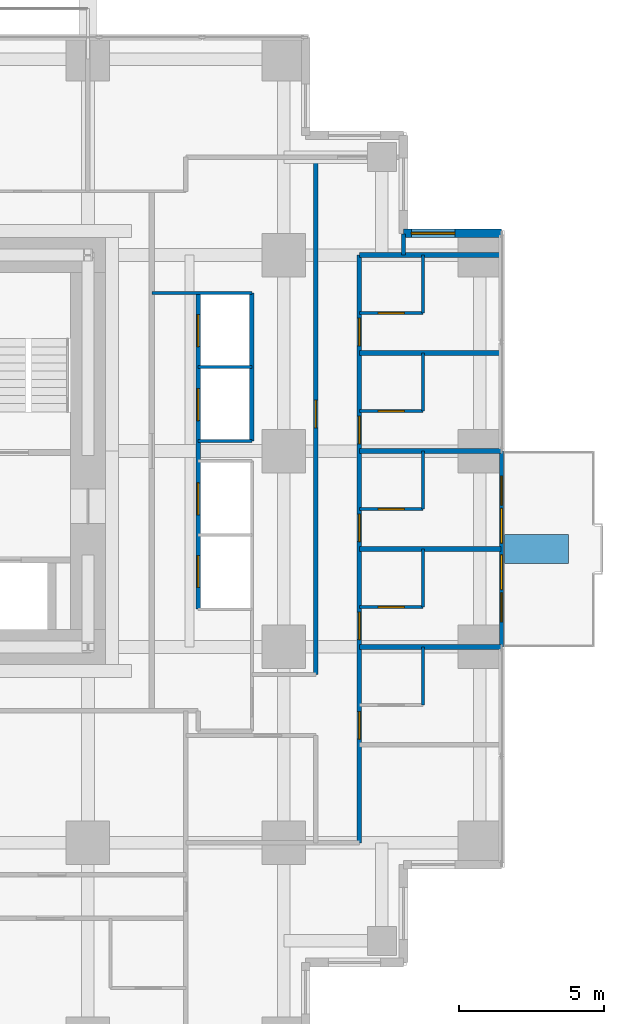
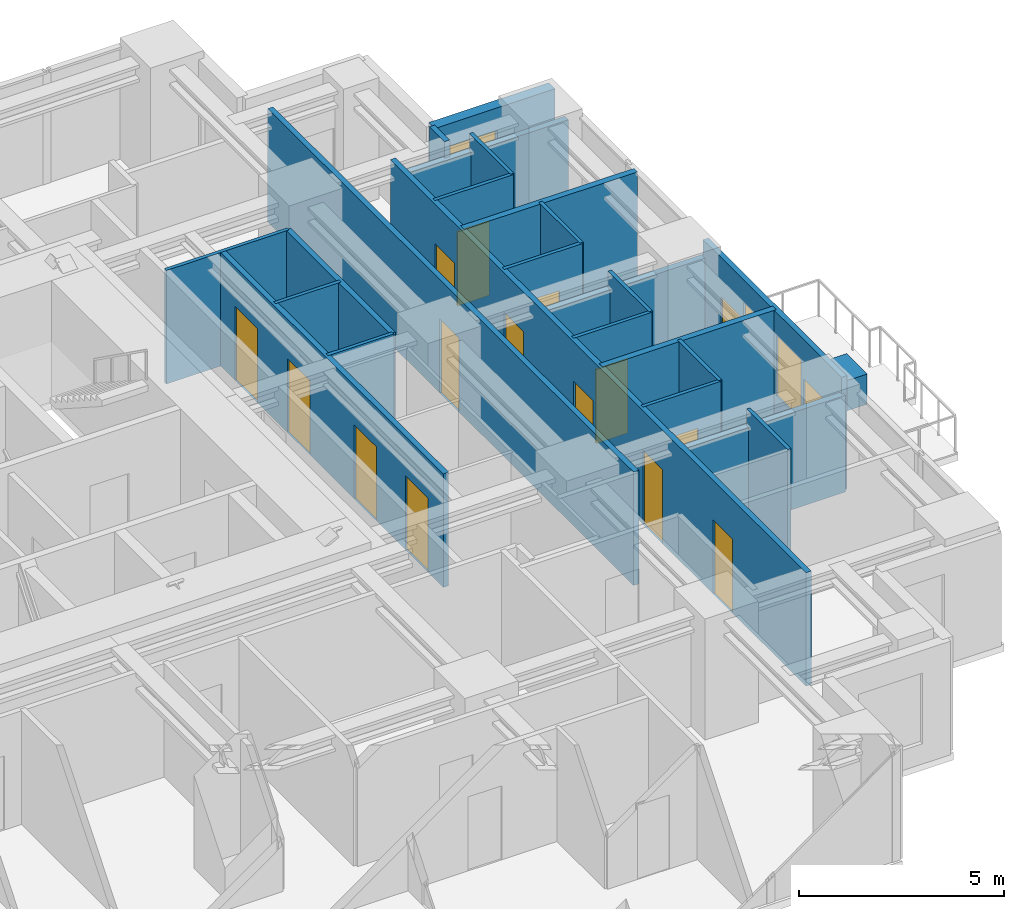
# One storey, part 10 of 13: 25 walls, 16 doors, 3 windows, 19 openings.
"""IFC4 building model written with IfcOpenShell, lengths in metres."""

import ifcopenshell
import ifcopenshell.guid

model = None  # the IFC model being written
_history = None  # IfcOwnerHistory: only IFC2X3 demands one
_inside = {}  # id of a spatial element -> (the spatial element, [elements in it])
_under = {}  # id of a project, library or spatial element -> (it, [spatial elements below it])
_declared = {}  # id of a project -> (the project, [libraries it declares])
_typed = {}  # id of a type object -> (the type object, [elements of that type])
_made_of = {}  # id of a material, layer set ... -> (it, [elements and type objects made of it])


def new_model(schema):
    """Start an empty IFC model of exactly this schema.

    Asked for "IFC4X3", IfcOpenShell would pick the latest addendum, in which some entities
    have other attributes; the version numbers below select the first issue.
    IFC2X3 requires an IfcOwnerHistory on every rooted entity: one is made here for all.
    """
    global model, _history
    if schema == "IFC4X3":
        model = ifcopenshell.file(schema_version=(4, 3, 0, 0))
    else:
        model = ifcopenshell.file(schema=schema)
    _inside.clear()
    _under.clear()
    _declared.clear()
    _typed.clear()
    _made_of.clear()
    _history = None
    if model.schema == "IFC2X3":
        org = make("IfcOrganization", Name="unknown")
        user = make(
            "IfcPersonAndOrganization",
            ThePerson=make("IfcPerson", FamilyName="unknown"),
            TheOrganization=org,
        )
        app = make(
            "IfcApplication",
            ApplicationDeveloper=org,
            Version="unknown",
            ApplicationFullName="unknown",
            ApplicationIdentifier="unknown",
        )
        _history = make(
            "IfcOwnerHistory",
            OwningUser=user,
            OwningApplication=app,
            ChangeAction="ADDED",
            CreationDate=0,
        )
    return model


def make(cls, **values):
    """One entity of the class cls with the attributes given. An attribute that is None is left unset."""
    return model.create_entity(
        cls, **{name: value for name, value in values.items() if value is not None}
    )


def rooted(cls, **values):
    """An entity with a GlobalId (a new one), such as an element, a storey or a relation."""
    return make(cls, GlobalId=ifcopenshell.guid.new(), OwnerHistory=_history, **values)


def si_unit(unit_type, name, prefix=None):
    """IfcSIUnit, for example si_unit("LENGTHUNIT", "METRE", prefix="MILLI")."""
    return make("IfcSIUnit", UnitType=unit_type, Prefix=prefix, Name=name)


def assignment(units):
    """IfcUnitAssignment: the units of a project."""
    return None if units is None else make("IfcUnitAssignment", Units=units)


def point(xyz):
    """IfcCartesianPoint."""
    return None if xyz is None else make("IfcCartesianPoint", Coordinates=xyz)


def direction(xyz):
    """IfcDirection."""
    return None if xyz is None else make("IfcDirection", DirectionRatios=xyz)


def frame(location, z_axis=None, x_axis=None):
    """IfcAxis2Placement3D, a coordinate frame: its origin and axes. An axis left out is left unset."""
    return make(
        "IfcAxis2Placement3D",
        Location=point(location),
        Axis=direction(z_axis),
        RefDirection=direction(x_axis),
    )


def frame_2d(location, x_axis=None):
    """IfcAxis2Placement2D, a coordinate frame in the plane: its origin and x axis."""
    return make(
        "IfcAxis2Placement2D", Location=point(location), RefDirection=direction(x_axis)
    )


def origin():
    """The frame at (0, 0, 0) with its axes left unset."""
    return frame((0.0, 0.0, 0.0))


def place(relative_to, where):
    """IfcLocalPlacement: puts the frame where relative to a parent placement (None: the world)."""
    return make(
        "IfcLocalPlacement", PlacementRelTo=relative_to, RelativePlacement=where
    )


def context(
    kind, dimensions, precision=None, world=None, true_north=None, identifier=None
):
    """IfcGeometricRepresentationContext, for example the 3D "Model" context."""
    return make(
        "IfcGeometricRepresentationContext",
        ContextIdentifier=identifier,
        ContextType=kind,
        CoordinateSpaceDimension=dimensions,
        Precision=precision,
        WorldCoordinateSystem=world,
        TrueNorth=true_north,
    )


def subcontext(parent, identifier, kind, view, scale=None):
    """IfcGeometricRepresentationSubContext, for example "Body" below "Model"."""
    return make(
        "IfcGeometricRepresentationSubContext",
        ContextIdentifier=identifier,
        ContextType=kind,
        ParentContext=parent,
        TargetScale=scale,
        TargetView=view,
    )


def project(units=None, contexts=None):
    """IfcProject with its units and contexts."""
    return rooted(
        "IfcProject",
        Name="project",
        RepresentationContexts=contexts,
        UnitsInContext=assignment(units),
    )


def spatial(cls, under=None, at=None, **own):
    """A site, building, storey or space (cls), placed at a placement, below another one or the project."""
    s = rooted(cls, ObjectPlacement=at, **own)
    if under is not None:
        _under.setdefault(under.id(), (under, []))[1].append(s)
    return s


def profile(cls, at=None, kind="AREA", **sizes):
    """A parametric profile (cls). Its sizes go by their IFC names, for example OverallWidth=200.0."""
    return make(cls, ProfileType=kind, Position=at, **sizes)


def rectangle(**sizes):
    """IfcRectangleProfileDef."""
    return profile("IfcRectangleProfileDef", **sizes)


def extrude(swept, where, along, depth):
    """IfcExtrudedAreaSolid: the profile swept, set in the frame where, extruded along a direction by depth."""
    return make(
        "IfcExtrudedAreaSolid",
        SweptArea=swept,
        Position=where,
        ExtrudedDirection=direction(along),
        Depth=depth,
    )


def shape(context_of_items, identifier, shape_type, items):
    """IfcShapeRepresentation: the items that make up one representation, for example the "Body"."""
    return make(
        "IfcShapeRepresentation",
        ContextOfItems=context_of_items,
        RepresentationIdentifier=identifier,
        RepresentationType=shape_type,
        Items=items,
    )


def material(Name=None, Category=None):
    """IfcMaterial."""
    return make("IfcMaterial", Name=Name, Category=Category)


def layer(
    of_material, thickness, ventilated=None, Name=None, Category=None, Priority=None
):
    """IfcMaterialLayer: one layer of a wall or slab, of a material (None: an air gap)."""
    return make(
        "IfcMaterialLayer",
        Material=of_material,
        LayerThickness=thickness,
        IsVentilated=ventilated,
        Name=Name,
        Category=Category,
        Priority=Priority,
    )


def layer_set(layers, Name=None):
    """IfcMaterialLayerSet."""
    return make("IfcMaterialLayerSet", MaterialLayers=layers, LayerSetName=Name)


def made_of(thing, what):
    """Note that an element or type object is made of a material, layer set ...; save() writes the relation."""
    if what is not None:
        _made_of.setdefault(what.id(), (what, []))[1].append(thing)
    return thing


def type_object(cls, material=None, **own):
    """A type object (cls), such as IfcWallType, which elements share."""
    return made_of(rooted(cls, **own), material)


def element(
    cls,
    number,
    at=None,
    inside=None,
    cuts=None,
    type_object=None,
    material=None,
    context=None,
    identifier="Body",
    shape_type=None,
    held_by="IfcProductDefinitionShape",
    body=None,
    shapes=None,
    **own,
):
    """One element of the class cls, such as IfcWall. Its Tag is "e" and its number.

    at: its placement. inside: the storey or other place that contains it. cuts: it is an
    opening in that element (IfcRelVoidsElement). A single representation is given by context,
    identifier, shape_type and body (its items); several are given by shapes. held_by: the class
    of the entity that holds the representations. save() writes the other relations.
    """
    e = rooted(cls, Tag="e%d" % number, ObjectPlacement=at, **own)
    if body is not None:
        shapes = [shape(context, identifier, shape_type, body)]
    if shapes is not None:
        e.Representation = make(held_by, Representations=shapes)
    if inside is not None:
        _inside.setdefault(inside.id(), (inside, []))[1].append(e)
    if cuts is not None:
        rooted(
            "IfcRelVoidsElement", RelatingBuildingElement=cuts, RelatedOpeningElement=e
        )
    if type_object is not None:
        _typed.setdefault(type_object.id(), (type_object, []))[1].append(e)
    return made_of(e, material)


def fill(opening, filler):
    """IfcRelFillsElement: the door or window that sits in an opening."""
    return rooted(
        "IfcRelFillsElement",
        RelatingOpeningElement=opening,
        RelatedBuildingElement=filler,
    )


def aggregate(whole, parts):
    """IfcRelAggregates: a whole, such as a stair, and the parts it consists of."""
    return rooted("IfcRelAggregates", RelatingObject=whole, RelatedObjects=parts)


def save(model, path):
    """Write the relations noted so far, then the file.

    IfcRelAggregates (storeys below a building ...), IfcRelContainedInSpatialStructure (elements
    in a storey), IfcRelDefinesByType, IfcRelAssociatesMaterial and IfcRelDeclares: one each for
    every whole, place, type object, material and project.
    """
    for whole, parts in _under.values():
        aggregate(whole, parts)
    for where, things in _inside.values():
        rooted(
            "IfcRelContainedInSpatialStructure",
            RelatedElements=things,
            RelatingStructure=where,
        )
    for kind, things in _typed.values():
        rooted("IfcRelDefinesByType", RelatedObjects=things, RelatingType=kind)
    for what, things in _made_of.values():
        rooted("IfcRelAssociatesMaterial", RelatedObjects=things, RelatingMaterial=what)
    for by, libraries in _declared.values():
        rooted("IfcRelDeclares", RelatingContext=by, RelatedDefinitions=libraries)
    model.write(path)


model = new_model("IFC4")

# Units and contexts
model_context = context("Model", 3, precision=1e-05, world=origin(), true_north=direction((0.0, 1.0)))
body_context = subcontext(model_context, "Body", "Model", "MODEL_VIEW")
ifc_project = project(units=[si_unit("LENGTHUNIT", "METRE"), si_unit("AREAUNIT", "SQUARE_METRE"), si_unit("VOLUMEUNIT", "CUBIC_METRE"), si_unit("PLANEANGLEUNIT", "RADIAN"), si_unit("MASSUNIT", "GRAM", prefix="KILO")], contexts=[model_context])

# Site, building, storey
site_placement = place(None, origin())
site = spatial("IfcSite", under=ifc_project, at=site_placement, CompositionType="ELEMENT")
building_placement = place(site_placement, origin())
building = spatial("IfcBuilding", under=site, at=building_placement, Name="Nyansa Garden Tower", CompositionType="ELEMENT")
storey_placement = place(building_placement, frame((0.0, 0.0, 130.5)))
storey = spatial("IfcBuildingStorey", under=building, at=storey_placement, Name="L35", CompositionType="ELEMENT", Elevation=130.5)

# Walls
ifc_material_1 = material(Name="Dense blockwork, plastered both sides, 55 dB", Category="masonry")
ifc_layer_1 = layer(ifc_material_1, 0.175048828125)
ifc_layer_set_1 = layer_set([ifc_layer_1], Name="Acoustic party wall PW175")
wall_type_1 = type_object("IfcWallType", Name="Acoustic party wall PW175", PredefinedType="PARTITIONING", material=ifc_layer_set_1)
wall_1_placement = place(storey_placement, frame((36.35009765625, 13.5, 0.0), z_axis=(0.0, 0.0, 1.0), x_axis=(1.0, 0.0, 0.0)))
element("IfcWall", 1, at=wall_1_placement, inside=storey, type_object=wall_type_1, Name="Party wall", PredefinedType="PARTITIONING", context=body_context, shape_type="SweptSolid", body=[
    extrude(rectangle(XDim=4.8837890625, YDim=0.175048828125, at=frame_2d((2.44189453125, 0.0))), origin(), (0.0, 0.0, 1.0), 2.876953125),
])
wall_2_placement = place(storey_placement, frame((36.35009765625, 16.875, 0.0), z_axis=(0.0, 0.0, 1.0), x_axis=(1.0, 0.0, 0.0)))
element("IfcWall", 2, at=wall_2_placement, inside=storey, type_object=wall_type_1, Name="Party wall", PredefinedType="PARTITIONING", context=body_context, shape_type="SweptSolid", body=[
    extrude(rectangle(XDim=4.8837890625, YDim=0.175048828125, at=frame_2d((2.44189453125, 0.0))), origin(), (0.0, 0.0, 1.0), 3.375),
])
wall_3_placement = place(storey_placement, frame((36.35009765625, 20.25, 0.0), z_axis=(0.0, 0.0, 1.0), x_axis=(1.0, 0.0, 0.0)))
element("IfcWall", 3, at=wall_3_placement, inside=storey, type_object=wall_type_1, Name="Party wall", PredefinedType="PARTITIONING", context=body_context, shape_type="SweptSolid", body=[
    extrude(rectangle(XDim=4.8837890625, YDim=0.175048828125, at=frame_2d((2.44189453125, 0.0))), origin(), (0.0, 0.0, 1.0), 2.876953125),
])
wall_4_placement = place(storey_placement, frame((36.35009765625, 23.625, 0.0), z_axis=(0.0, 0.0, 1.0), x_axis=(1.0, 0.0, 0.0)))
element("IfcWall", 4, at=wall_4_placement, inside=storey, type_object=wall_type_1, Name="Party wall", PredefinedType="PARTITIONING", context=body_context, shape_type="SweptSolid", body=[
    extrude(rectangle(XDim=4.8837890625, YDim=0.175048828125, at=frame_2d((2.44189453125, 0.0))), origin(), (0.0, 0.0, 1.0), 3.375),
])
wall_5_placement = place(storey_placement, frame((36.35009765625, 27.0, 0.0), z_axis=(0.0, 0.0, 1.0), x_axis=(1.0, 0.0, 0.0)))
element("IfcWall", 5, at=wall_5_placement, inside=storey, type_object=wall_type_1, Name="Party wall", PredefinedType="PARTITIONING", context=body_context, shape_type="SweptSolid", body=[
    extrude(rectangle(XDim=4.8837890625, YDim=0.175048828125, at=frame_2d((2.44189453125, 0.0))), origin(), (0.0, 0.0, 1.0), 2.876953125),
])

# Wall, openings, doors, windows
ifc_material_2 = material(Name="Black aluminium framed glazed screen", Category="aluminium")
ifc_layer_2 = layer(ifc_material_2, 0.14990234375)
ifc_layer_set_2 = layer_set([ifc_layer_2], Name="Balcony screen wall BW150")
wall_type_2 = type_object("IfcWallType", Name="Balcony screen wall BW150", PredefinedType="SOLIDWALL", material=ifc_layer_set_2)
wall_6_placement = place(storey_placement, frame((41.25, 20.25, 0.0), z_axis=(0.0, 0.0, 1.0), x_axis=(0.0, -1.0, 0.0)))
wall_6 = element("IfcWall", 6, at=wall_6_placement, inside=storey, type_object=wall_type_2, Name="Glazed screen wall L35 E", PredefinedType="SOLIDWALL", context=body_context, shape_type="SweptSolid", body=[
    extrude(rectangle(XDim=6.75, YDim=0.14990234375, at=frame_2d((3.375, 0.0))), origin(), (0.0, 0.0, 1.0), 3.375),
])
opening_1_placement = place(wall_6_placement, frame((0.862548828125, 0.0, 0.0)))
opening_1 = element("IfcOpeningElement", 7, at=opening_1_placement, cuts=wall_6, Name="Opening D20", PredefinedType="OPENING", context=body_context, shape_type="SweptSolid", body=[
    extrude(rectangle(XDim=1.0, YDim=2.199951171875, at=frame_2d((0.5, 1.10009765625))), frame((0.0, 0.0849609375, 0.0), z_axis=(0.0, -1.0, 0.0), x_axis=(1.0, 0.0, 0.0)), (0.0, 0.0, 1.0), 0.169921875),
])
opening_2_placement = place(wall_6_placement, frame((1.97509765625, 0.0, 0.89990234375)))
opening_2 = element("IfcOpeningElement", 8, at=opening_2_placement, cuts=wall_6, Name="Opening W6", PredefinedType="OPENING", context=body_context, shape_type="SweptSolid", body=[
    extrude(rectangle(XDim=1.199951171875, YDim=1.800048828125, at=frame_2d((0.60009765625, 0.89990234375))), frame((0.0, 0.0849609375, 0.0), z_axis=(0.0, -1.0, 0.0), x_axis=(1.0, 0.0, 0.0)), (0.0, 0.0, 1.0), 0.169921875),
])
opening_3_placement = place(wall_6_placement, frame((4.887451171875, 0.0, 0.0)))
opening_3 = element("IfcOpeningElement", 9, at=opening_3_placement, cuts=wall_6, Name="Opening D20", PredefinedType="OPENING", context=body_context, shape_type="SweptSolid", body=[
    extrude(rectangle(XDim=1.0, YDim=2.199951171875, at=frame_2d((0.5, 1.10009765625))), frame((0.0, 0.0849609375, 0.0), z_axis=(0.0, -1.0, 0.0), x_axis=(1.0, 0.0, 0.0)), (0.0, 0.0, 1.0), 0.169921875),
])
opening_4_placement = place(wall_6_placement, frame((3.574951171875, 0.0, 0.89990234375)))
opening_4 = element("IfcOpeningElement", 10, at=opening_4_placement, cuts=wall_6, Name="Opening W6", PredefinedType="OPENING", context=body_context, shape_type="SweptSolid", body=[
    extrude(rectangle(XDim=1.199951171875, YDim=1.800048828125, at=frame_2d((0.60009765625, 0.89990234375))), frame((0.0, 0.0849609375, 0.0), z_axis=(0.0, -1.0, 0.0), x_axis=(1.0, 0.0, 0.0)), (0.0, 0.0, 1.0), 0.169921875),
])
ifc_material_3 = material(Name="Black aluminium framed glazed door", Category="aluminium")
door_type_1 = type_object("IfcDoorType", Name="Balcony door D20 1000x2200", OperationType="NOTDEFINED", PredefinedType="DOOR", material=ifc_material_3)
door_1_placement = place(opening_1_placement, origin())
door_1 = element("IfcDoor", 11, at=door_1_placement, inside=storey, type_object=door_type_1, Name="Balcony door L35", OperationType="SINGLE_SWING_LEFT", OverallHeight=2.199951171875, OverallWidth=1.0, PredefinedType="DOOR", context=body_context, shape_type="SweptSolid", body=[
    extrude(rectangle(XDim=1.0, YDim=2.199951171875, at=frame_2d((0.5, 1.10009765625))), frame((0.0, 0.02490234375, 0.0), z_axis=(0.0, -1.0, 0.0), x_axis=(1.0, 0.0, 0.0)), (0.0, 0.0, 1.0), 0.050048828125),
])
fill(opening_1, door_1)
door_2_placement = place(opening_3_placement, origin())
door_2 = element("IfcDoor", 12, at=door_2_placement, inside=storey, type_object=door_type_1, Name="Balcony door L35", OperationType="SINGLE_SWING_RIGHT", OverallHeight=2.199951171875, OverallWidth=1.0, PredefinedType="DOOR", context=body_context, shape_type="SweptSolid", body=[
    extrude(rectangle(XDim=1.0, YDim=2.199951171875, at=frame_2d((0.5, 1.10009765625))), frame((0.0, 0.02490234375, 0.0), z_axis=(0.0, -1.0, 0.0), x_axis=(1.0, 0.0, 0.0)), (0.0, 0.0, 1.0), 0.050048828125),
])
fill(opening_3, door_2)
ifc_material_4 = material(Name="Black aluminium frame, dark tinted double glazing", Category="aluminium")
window_type_1 = type_object("IfcWindowType", Name="Balcony window W6 1200x1800", PartitioningType="SINGLE_PANEL", PredefinedType="WINDOW", material=ifc_material_4)
window_1_placement = place(opening_2_placement, origin())
window_1 = element("IfcWindow", 13, at=window_1_placement, inside=storey, type_object=window_type_1, Name="Window L35", OverallHeight=1.800048828125, OverallWidth=1.199951171875, PartitioningType="SINGLE_PANEL", PredefinedType="WINDOW", context=body_context, shape_type="SweptSolid", body=[
    extrude(rectangle(XDim=1.199951171875, YDim=1.800048828125, at=frame_2d((0.60009765625, 0.89990234375))), frame((0.0, 0.030029296875, 0.0), z_axis=(0.0, -1.0, 0.0), x_axis=(1.0, 0.0, 0.0)), (0.0, 0.0, 1.0), 0.06005859375),
])
fill(opening_2, window_1)
window_2_placement = place(opening_4_placement, origin())
window_2 = element("IfcWindow", 14, at=window_2_placement, inside=storey, type_object=window_type_1, Name="Window L35", OverallHeight=1.800048828125, OverallWidth=1.199951171875, PartitioningType="SINGLE_PANEL", PredefinedType="WINDOW", context=body_context, shape_type="SweptSolid", body=[
    extrude(rectangle(XDim=1.199951171875, YDim=1.800048828125, at=frame_2d((0.60009765625, 0.89990234375))), frame((0.0, 0.030029296875, 0.0), z_axis=(0.0, -1.0, 0.0), x_axis=(1.0, 0.0, 0.0)), (0.0, 0.0, 1.0), 0.06005859375),
])
fill(opening_4, window_2)

# Walls
ifc_material_5 = material(Name="Steel-stud shaft wall, two layers fire-rated board, EI 120", Category="steel")
ifc_layer_3 = layer(ifc_material_5, 0.10009765625)
ifc_layer_set_3 = layer_set([ifc_layer_3], Name="Lift shaft wall SW100")
wall_type_3 = type_object("IfcWallType", Name="Lift shaft wall SW100", PredefinedType="SHEAR", material=ifc_layer_set_3)
wall_7_placement = place(storey_placement, frame((29.199951171875, 25.699951171875, 0.0), z_axis=(0.0, 0.0, 1.0), x_axis=(1.0, 0.0, 0.0)))
element("IfcWall", 15, at=wall_7_placement, inside=storey, type_object=wall_type_3, Name="Lift shaft wall", PredefinedType="SHEAR", context=body_context, shape_type="SweptSolid", body=[
    extrude(rectangle(XDim=3.449951171875, YDim=0.10009765625, at=frame_2d((1.72509765625, 0.0))), origin(), (0.0, 0.0, 1.0), 3.375),
])
for number, where, z_axis, x_axis, name in (
    (16, (30.800048828125, 20.60009765625, 0.0), (0.0, 0.0, 1.0), (1.0, 0.0, 0.0), "Lift shaft wall"),
    (17, (30.800048828125, 23.14990234375, 0.0), (0.0, 0.0, 1.0), (1.0, 0.0, 0.0), "Lift shaft wall"),
):
    element("IfcWall", number, at=place(storey_placement, frame(where, z_axis=z_axis, x_axis=x_axis)), inside=storey, type_object=wall_type_3, Name=name, PredefinedType="SHEAR", context=body_context, shape_type="SweptSolid", body=[
        extrude(rectangle(XDim=1.849853515625, YDim=0.10009765625, at=frame_2d((0.9248046875, 0.0))), origin(), (0.0, 0.0, 1.0), 3.375),
    ])

# Wall, openings, doors
ifc_material_6 = material(Name="Blockwork, plastered both sides", Category="masonry")
ifc_layer_4 = layer(ifc_material_6, 0.14990234375)
ifc_layer_set_4 = layer_set([ifc_layer_4], Name="Partition PW150")
wall_type_4 = type_object("IfcWallType", Name="Partition PW150", PredefinedType="PARTITIONING", material=ifc_layer_set_4)
wall_8_placement = place(storey_placement, frame((30.800048828125, 14.800048828125, 0.0), z_axis=(0.0, 0.0, 1.0), x_axis=(0.0, 1.0, 0.0)))
wall_8 = element("IfcWall", 18, at=wall_8_placement, inside=storey, type_object=wall_type_4, Name="Partition", PredefinedType="PARTITIONING", context=body_context, shape_type="SweptSolid", body=[
    extrude(rectangle(XDim=10.89990234375, YDim=0.14990234375, at=frame_2d((5.449951171875, 0.0))), origin(), (0.0, 0.0, 1.0), 3.375),
])
opening_5_placement = place(wall_8_placement, frame((0.75, 0.0, 0.0)))
opening_5 = element("IfcOpeningElement", 19, at=opening_5_placement, cuts=wall_8, Name="Opening LD-A", PredefinedType="OPENING", context=body_context, shape_type="SweptSolid", body=[
    extrude(rectangle(XDim=1.10009765625, YDim=2.199951171875, at=frame_2d((0.550048828125, 1.10009765625))), frame((0.0, 0.0849609375, 0.0), z_axis=(0.0, -1.0, 0.0), x_axis=(1.0, 0.0, 0.0)), (0.0, 0.0, 1.0), 0.169921875),
])
opening_6_placement = place(wall_8_placement, frame((3.25, 0.0, 0.0)))
opening_6 = element("IfcOpeningElement", 20, at=opening_6_placement, cuts=wall_8, Name="Opening LD-A", PredefinedType="OPENING", context=body_context, shape_type="SweptSolid", body=[
    extrude(rectangle(XDim=1.10009765625, YDim=2.199951171875, at=frame_2d((0.550048828125, 1.10009765625))), frame((0.0, 0.0849609375, 0.0), z_axis=(0.0, -1.0, 0.0), x_axis=(1.0, 0.0, 0.0)), (0.0, 0.0, 1.0), 0.169921875),
])
opening_7_placement = place(wall_8_placement, frame((6.5, 0.0, 0.0)))
opening_7 = element("IfcOpeningElement", 21, at=opening_7_placement, cuts=wall_8, Name="Opening LD-A", PredefinedType="OPENING", context=body_context, shape_type="SweptSolid", body=[
    extrude(rectangle(XDim=1.10009765625, YDim=2.199951171875, at=frame_2d((0.550048828125, 1.10009765625))), frame((0.0, 0.0849609375, 0.0), z_axis=(0.0, -1.0, 0.0), x_axis=(1.0, 0.0, 0.0)), (0.0, 0.0, 1.0), 0.169921875),
])
opening_8_placement = place(wall_8_placement, frame((9.050048828125, 0.0, 0.0)))
opening_8 = element("IfcOpeningElement", 22, at=opening_8_placement, cuts=wall_8, Name="Opening LD-A", PredefinedType="OPENING", context=body_context, shape_type="SweptSolid", body=[
    extrude(rectangle(XDim=1.10009765625, YDim=2.199951171875, at=frame_2d((0.550048828125, 1.10009765625))), frame((0.0, 0.0849609375, 0.0), z_axis=(0.0, -1.0, 0.0), x_axis=(1.0, 0.0, 0.0)), (0.0, 0.0, 1.0), 0.169921875),
])
ifc_material_7 = material(Name="Stainless steel centre-opening landing door of the low-rise lift, E 120", Category="steel")
door_type_2 = type_object("IfcDoorType", Name="Lift landing door LD-A 1100x2200", OperationType="DOUBLE_DOOR_SLIDING", PredefinedType="DOOR", material=ifc_material_7)
door_3_placement = place(opening_5_placement, origin())
door_3 = element("IfcDoor", 23, at=door_3_placement, inside=storey, type_object=door_type_2, Name="Landing door A1", OperationType="DOUBLE_DOOR_SLIDING", OverallHeight=2.199951171875, OverallWidth=1.10009765625, PredefinedType="DOOR", context=body_context, shape_type="SweptSolid", body=[
    extrude(rectangle(XDim=1.10009765625, YDim=2.199951171875, at=frame_2d((0.550048828125, 1.10009765625))), frame((0.0, 0.02490234375, 0.0), z_axis=(0.0, -1.0, 0.0), x_axis=(1.0, 0.0, 0.0)), (0.0, 0.0, 1.0), 0.050048828125),
])
fill(opening_5, door_3)
door_4_placement = place(opening_6_placement, origin())
door_4 = element("IfcDoor", 24, at=door_4_placement, inside=storey, type_object=door_type_2, Name="Landing door A2", OperationType="DOUBLE_DOOR_SLIDING", OverallHeight=2.199951171875, OverallWidth=1.10009765625, PredefinedType="DOOR", context=body_context, shape_type="SweptSolid", body=[
    extrude(rectangle(XDim=1.10009765625, YDim=2.199951171875, at=frame_2d((0.550048828125, 1.10009765625))), frame((0.0, 0.02490234375, 0.0), z_axis=(0.0, -1.0, 0.0), x_axis=(1.0, 0.0, 0.0)), (0.0, 0.0, 1.0), 0.050048828125),
])
fill(opening_6, door_4)
door_5_placement = place(opening_7_placement, origin())
door_5 = element("IfcDoor", 25, at=door_5_placement, inside=storey, type_object=door_type_2, Name="Landing door A3", OperationType="DOUBLE_DOOR_SLIDING", OverallHeight=2.199951171875, OverallWidth=1.10009765625, PredefinedType="DOOR", context=body_context, shape_type="SweptSolid", body=[
    extrude(rectangle(XDim=1.10009765625, YDim=2.199951171875, at=frame_2d((0.550048828125, 1.10009765625))), frame((0.0, 0.02490234375, 0.0), z_axis=(0.0, -1.0, 0.0), x_axis=(1.0, 0.0, 0.0)), (0.0, 0.0, 1.0), 0.050048828125),
])
fill(opening_7, door_5)
door_6_placement = place(opening_8_placement, origin())
door_6 = element("IfcDoor", 26, at=door_6_placement, inside=storey, type_object=door_type_2, Name="Landing door A4", OperationType="DOUBLE_DOOR_SLIDING", OverallHeight=2.199951171875, OverallWidth=1.10009765625, PredefinedType="DOOR", context=body_context, shape_type="SweptSolid", body=[
    extrude(rectangle(XDim=1.10009765625, YDim=2.199951171875, at=frame_2d((0.550048828125, 1.10009765625))), frame((0.0, 0.02490234375, 0.0), z_axis=(0.0, -1.0, 0.0), x_axis=(1.0, 0.0, 0.0)), (0.0, 0.0, 1.0), 0.050048828125),
])
fill(opening_8, door_6)

# Wall
wall_9_placement = place(storey_placement, frame((32.64990234375, 20.60009765625, 0.0), z_axis=(0.0, 0.0, 1.0), x_axis=(0.0, 1.0, 0.0)))
element("IfcWall", 27, at=wall_9_placement, inside=storey, type_object=wall_type_4, Name="Partition", PredefinedType="PARTITIONING", context=body_context, shape_type="SweptSolid", body=[
    extrude(rectangle(XDim=5.099853515625, YDim=0.14990234375, at=frame_2d((2.5498046875, 0.0))), origin(), (0.0, 0.0, 1.0), 3.375),
])

# Wall, opening, door
wall_10_placement = place(storey_placement, frame((34.85009765625, 12.550048828125, 0.0), z_axis=(0.0, 0.0, 1.0), x_axis=(0.0, 1.0, 0.0)))
wall_10 = element("IfcWall", 28, at=wall_10_placement, inside=storey, type_object=wall_type_4, Name="Partition", PredefinedType="PARTITIONING", context=body_context, shape_type="SweptSolid", body=[
    extrude(rectangle(XDim=17.824951171875, YDim=0.14990234375, at=frame_2d((8.91259765625, 0.0))), origin(), (0.0, 0.0, 1.0), 3.375),
])
opening_9_placement = place(wall_10_placement, frame((8.5, 0.0, 0.0)))
opening_9 = element("IfcOpeningElement", 29, at=opening_9_placement, cuts=wall_10, Name="Opening D01", PredefinedType="OPENING", context=body_context, shape_type="SweptSolid", body=[
    extrude(rectangle(XDim=0.949951171875, YDim=2.199951171875, at=frame_2d((0.47509765625, 1.10009765625))), frame((0.0, 0.0849609375, 0.0), z_axis=(0.0, -1.0, 0.0), x_axis=(1.0, 0.0, 0.0)), (0.0, 0.0, 1.0), 0.169921875),
])
ifc_material_8 = material(Name="Timber flush door, 30 minute fire resisting", Category="wood")
door_type_3 = type_object("IfcDoorType", Name="Bedroom door D01 950x2200", OperationType="SINGLE_SWING_LEFT", PredefinedType="DOOR", material=ifc_material_8)
door_7_placement = place(opening_9_placement, origin())
door_7 = element("IfcDoor", 30, at=door_7_placement, inside=storey, type_object=door_type_3, Name="Door L35-044", OperationType="SINGLE_SWING_LEFT", OverallHeight=2.199951171875, OverallWidth=0.949951171875, PredefinedType="DOOR", context=body_context, shape_type="SweptSolid", body=[
    extrude(rectangle(XDim=0.949951171875, YDim=2.199951171875, at=frame_2d((0.47509765625, 1.10009765625))), frame((0.0, 0.02490234375, 0.0), z_axis=(0.0, -1.0, 0.0), x_axis=(1.0, 0.0, 0.0)), (0.0, 0.0, 1.0), 0.050048828125),
])
fill(opening_9, door_7)

# Wall, openings, doors
wall_11_placement = place(storey_placement, frame((36.35009765625, 6.75, 0.0), z_axis=(0.0, 0.0, 1.0), x_axis=(0.0, 1.0, 0.0)))
wall_11 = element("IfcWall", 31, at=wall_11_placement, inside=storey, type_object=wall_type_4, Name="Partition", PredefinedType="PARTITIONING", context=body_context, shape_type="SweptSolid", body=[
    extrude(rectangle(XDim=20.25, YDim=0.14990234375, at=frame_2d((10.125, 0.0))), origin(), (0.0, 0.0, 1.0), 3.375),
])
opening_10_placement = place(wall_11_placement, frame((3.574951171875, 0.0, 0.0)))
opening_10 = element("IfcOpeningElement", 32, at=opening_10_placement, cuts=wall_11, Name="Opening D14", PredefinedType="OPENING", context=body_context, shape_type="SweptSolid", body=[
    extrude(rectangle(XDim=0.949951171875, YDim=2.199951171875, at=frame_2d((0.47509765625, 1.10009765625))), frame((0.0, 0.0849609375, 0.0), z_axis=(0.0, -1.0, 0.0), x_axis=(1.0, 0.0, 0.0)), (0.0, 0.0, 1.0), 0.169921875),
])
opening_11_placement = place(wall_11_placement, frame((7.0, 0.0, 0.0)))
opening_11 = element("IfcOpeningElement", 33, at=opening_11_placement, cuts=wall_11, Name="Opening D14", PredefinedType="OPENING", context=body_context, shape_type="SweptSolid", body=[
    extrude(rectangle(XDim=0.949951171875, YDim=2.199951171875, at=frame_2d((0.47509765625, 1.10009765625))), frame((0.0, 0.0849609375, 0.0), z_axis=(0.0, -1.0, 0.0), x_axis=(1.0, 0.0, 0.0)), (0.0, 0.0, 1.0), 0.169921875),
])
opening_12_placement = place(wall_11_placement, frame((10.375, 0.0, 0.0)))
opening_12 = element("IfcOpeningElement", 34, at=opening_12_placement, cuts=wall_11, Name="Opening D14", PredefinedType="OPENING", context=body_context, shape_type="SweptSolid", body=[
    extrude(rectangle(XDim=0.949951171875, YDim=2.199951171875, at=frame_2d((0.47509765625, 1.10009765625))), frame((0.0, 0.0849609375, 0.0), z_axis=(0.0, -1.0, 0.0), x_axis=(1.0, 0.0, 0.0)), (0.0, 0.0, 1.0), 0.169921875),
])
opening_13_placement = place(wall_11_placement, frame((13.75, 0.0, 0.0)))
opening_13 = element("IfcOpeningElement", 35, at=opening_13_placement, cuts=wall_11, Name="Opening D14", PredefinedType="OPENING", context=body_context, shape_type="SweptSolid", body=[
    extrude(rectangle(XDim=0.949951171875, YDim=2.199951171875, at=frame_2d((0.47509765625, 1.10009765625))), frame((0.0, 0.0849609375, 0.0), z_axis=(0.0, -1.0, 0.0), x_axis=(1.0, 0.0, 0.0)), (0.0, 0.0, 1.0), 0.169921875),
])
opening_14_placement = place(wall_11_placement, frame((17.125, 0.0, 0.0)))
opening_14 = element("IfcOpeningElement", 36, at=opening_14_placement, cuts=wall_11, Name="Opening D14", PredefinedType="OPENING", context=body_context, shape_type="SweptSolid", body=[
    extrude(rectangle(XDim=0.949951171875, YDim=2.199951171875, at=frame_2d((0.47509765625, 1.10009765625))), frame((0.0, 0.0849609375, 0.0), z_axis=(0.0, -1.0, 0.0), x_axis=(1.0, 0.0, 0.0)), (0.0, 0.0, 1.0), 0.169921875),
])
ifc_material_9 = material(Name="Timber flush door, 60 minute fire resisting, self-closing", Category="wood")
door_type_4 = type_object("IfcDoorType", Name="Studio entrance door D14 950x2200", OperationType="SINGLE_SWING_LEFT", PredefinedType="DOOR", material=ifc_material_9)
door_8_placement = place(opening_10_placement, origin())
door_8 = element("IfcDoor", 37, at=door_8_placement, inside=storey, type_object=door_type_4, Name="Door L35-033", OperationType="SINGLE_SWING_LEFT", OverallHeight=2.199951171875, OverallWidth=0.949951171875, PredefinedType="DOOR", context=body_context, shape_type="SweptSolid", body=[
    extrude(rectangle(XDim=0.949951171875, YDim=2.199951171875, at=frame_2d((0.47509765625, 1.10009765625))), frame((0.0, 0.02490234375, 0.0), z_axis=(0.0, -1.0, 0.0), x_axis=(1.0, 0.0, 0.0)), (0.0, 0.0, 1.0), 0.050048828125),
])
fill(opening_10, door_8)
door_9_placement = place(opening_11_placement, origin())
door_9 = element("IfcDoor", 38, at=door_9_placement, inside=storey, type_object=door_type_4, Name="Door L35-035", OperationType="SINGLE_SWING_LEFT", OverallHeight=2.199951171875, OverallWidth=0.949951171875, PredefinedType="DOOR", context=body_context, shape_type="SweptSolid", body=[
    extrude(rectangle(XDim=0.949951171875, YDim=2.199951171875, at=frame_2d((0.47509765625, 1.10009765625))), frame((0.0, 0.02490234375, 0.0), z_axis=(0.0, -1.0, 0.0), x_axis=(1.0, 0.0, 0.0)), (0.0, 0.0, 1.0), 0.050048828125),
])
fill(opening_11, door_9)
door_10_placement = place(opening_12_placement, origin())
door_10 = element("IfcDoor", 39, at=door_10_placement, inside=storey, type_object=door_type_4, Name="Door L35-037", OperationType="SINGLE_SWING_LEFT", OverallHeight=2.199951171875, OverallWidth=0.949951171875, PredefinedType="DOOR", context=body_context, shape_type="SweptSolid", body=[
    extrude(rectangle(XDim=0.949951171875, YDim=2.199951171875, at=frame_2d((0.47509765625, 1.10009765625))), frame((0.0, 0.02490234375, 0.0), z_axis=(0.0, -1.0, 0.0), x_axis=(1.0, 0.0, 0.0)), (0.0, 0.0, 1.0), 0.050048828125),
])
fill(opening_12, door_10)
door_11_placement = place(opening_13_placement, origin())
door_11 = element("IfcDoor", 40, at=door_11_placement, inside=storey, type_object=door_type_4, Name="Door L35-039", OperationType="SINGLE_SWING_LEFT", OverallHeight=2.199951171875, OverallWidth=0.949951171875, PredefinedType="DOOR", context=body_context, shape_type="SweptSolid", body=[
    extrude(rectangle(XDim=0.949951171875, YDim=2.199951171875, at=frame_2d((0.47509765625, 1.10009765625))), frame((0.0, 0.02490234375, 0.0), z_axis=(0.0, -1.0, 0.0), x_axis=(1.0, 0.0, 0.0)), (0.0, 0.0, 1.0), 0.050048828125),
])
fill(opening_13, door_11)
door_12_placement = place(opening_14_placement, origin())
door_12 = element("IfcDoor", 41, at=door_12_placement, inside=storey, type_object=door_type_4, Name="Door L35-041", OperationType="SINGLE_SWING_LEFT", OverallHeight=2.199951171875, OverallWidth=0.949951171875, PredefinedType="DOOR", context=body_context, shape_type="SweptSolid", body=[
    extrude(rectangle(XDim=0.949951171875, YDim=2.199951171875, at=frame_2d((0.47509765625, 1.10009765625))), frame((0.0, 0.02490234375, 0.0), z_axis=(0.0, -1.0, 0.0), x_axis=(1.0, 0.0, 0.0)), (0.0, 0.0, 1.0), 0.050048828125),
])
fill(opening_14, door_12)

# Wall
wall_12_placement = place(storey_placement, frame((37.875, 27.0, 0.0), z_axis=(0.0, 0.0, 1.0), x_axis=(0.0, 1.0, 0.0)))
element("IfcWall", 42, at=wall_12_placement, inside=storey, type_object=wall_type_4, Name="Partition", PredefinedType="PARTITIONING", context=body_context, shape_type="SweptSolid", body=[
    extrude(rectangle(XDim=0.73388671875, YDim=0.14990234375, at=frame_2d((0.366943359375, 0.0))), origin(), (0.0, 0.0, 1.0), 3.375),
])

# Wall, opening, window
ifc_material_10 = material(Name="Turquoise glazed tile on concrete blockwork", Category="masonry")
ifc_layer_5 = layer(ifc_material_10, 0.300048828125)
ifc_layer_set_5 = layer_set([ifc_layer_5], Name="Tiled corner wall TW300")
wall_type_5 = type_object("IfcWallType", Name="Tiled corner wall TW300", PredefinedType="SOLIDWALL", material=ifc_layer_set_5)
wall_13_placement = place(storey_placement, frame((41.25, 27.75, 0.0), z_axis=(0.0, 0.0, 1.0), x_axis=(-1.0, 0.0, 0.0)))
wall_13 = element("IfcWall", 43, at=wall_13_placement, inside=storey, type_object=wall_type_5, Name="Tiled corner wall L35", PredefinedType="SOLIDWALL", context=body_context, shape_type="SweptSolid", body=[
    extrude(rectangle(XDim=3.375, YDim=0.300048828125, at=frame_2d((1.6875, 0.0))), origin(), (0.0, 0.0, 1.0), 3.375),
])
opening_15_placement = place(wall_13_placement, frame((1.607421875, 0.0, 0.89990234375)))
opening_15 = element("IfcOpeningElement", 44, at=opening_15_placement, cuts=wall_13, Name="Opening W1", PredefinedType="OPENING", context=body_context, shape_type="SweptSolid", body=[
    extrude(rectangle(XDim=1.5, YDim=1.800048828125, at=frame_2d((0.75, 0.89990234375))), frame((0.0, 0.159912109375, 0.0), z_axis=(0.0, -1.0, 0.0), x_axis=(1.0, 0.0, 0.0)), (0.0, 0.0, 1.0), 0.320068359375),
])
ifc_material_11 = material(Name="Black aluminium frame, dark tinted double glazing", Category="aluminium")
window_type_2 = type_object("IfcWindowType", Name="Window W1 1500x1800", PartitioningType="SINGLE_PANEL", PredefinedType="WINDOW", material=ifc_material_11)
window_3_placement = place(opening_15_placement, origin())
window_3 = element("IfcWindow", 45, at=window_3_placement, inside=storey, type_object=window_type_2, Name="Corner window L35", OverallHeight=1.800048828125, OverallWidth=1.5, PartitioningType="SINGLE_PANEL", PredefinedType="WINDOW", context=body_context, shape_type="SweptSolid", body=[
    extrude(rectangle(XDim=1.5, YDim=1.800048828125, at=frame_2d((0.75, 0.89990234375))), frame((0.0, 0.030029296875, 0.0), z_axis=(0.0, -1.0, 0.0), x_axis=(1.0, 0.0, 0.0)), (0.0, 0.0, 1.0), 0.06005859375),
])
fill(opening_15, window_3)

# Wall
ifc_material_12 = material(Name="Concrete C40/50 planter, waterproofed", Category="concrete")
ifc_layer_6 = layer(ifc_material_12, 1.0)
ifc_layer_set_6 = layer_set([ifc_layer_6], Name="Tree planter TP1")
wall_type_6 = type_object("IfcWallType", Name="Tree planter TP1", PredefinedType="USERDEFINED", material=ifc_layer_set_6)
wall_14_placement = place(storey_placement, frame((41.35009765625, 16.875, 0.0), z_axis=(0.0, 0.0, 1.0), x_axis=(1.0, 0.0, 0.0)))
element("IfcWall", 46, at=wall_14_placement, inside=storey, type_object=wall_type_6, Name="Tree planter L35", ObjectType="TREE PLANTER", PredefinedType="USERDEFINED", context=body_context, shape_type="SweptSolid", body=[
    extrude(rectangle(XDim=2.199951171875, YDim=1.0, at=frame_2d((1.10009765625, 0.0))), origin(), (0.0, 0.0, 1.0), 0.89990234375),
])

# Wall, opening, door
ifc_material_13 = material(Name="Moisture resistant board on steel studs, tiled", Category="steel")
ifc_layer_7 = layer(ifc_material_13, 0.10009765625)
ifc_layer_set_7 = layer_set([ifc_layer_7], Name="Wet wall PW100")
wall_type_7 = type_object("IfcWallType", Name="Wet wall PW100", PredefinedType="PARTITIONING", material=ifc_layer_set_7)
wall_15_placement = place(storey_placement, frame((36.35009765625, 14.875, 0.0), z_axis=(0.0, 0.0, 1.0), x_axis=(1.0, 0.0, 0.0)))
wall_15 = element("IfcWall", 47, at=wall_15_placement, inside=storey, type_object=wall_type_7, Name="Wet wall", PredefinedType="PARTITIONING", context=body_context, shape_type="SweptSolid", body=[
    extrude(rectangle(XDim=2.199951171875, YDim=0.10009765625, at=frame_2d((1.10009765625, 0.0))), origin(), (0.0, 0.0, 1.0), 3.375),
])
opening_16_placement = place(wall_15_placement, frame((0.64990234375, 0.0, 0.0)))
opening_16 = element("IfcOpeningElement", 48, at=opening_16_placement, cuts=wall_15, Name="Opening D02", PredefinedType="OPENING", context=body_context, shape_type="SweptSolid", body=[
    extrude(rectangle(XDim=0.89990234375, YDim=2.199951171875, at=frame_2d((0.449951171875, 1.10009765625))), frame((0.0, 0.06005859375, 0.0), z_axis=(0.0, -1.0, 0.0), x_axis=(1.0, 0.0, 0.0)), (0.0, 0.0, 1.0), 0.1201171875),
])
ifc_material_14 = material(Name="Timber flush door", Category="wood")
door_type_5 = type_object("IfcDoorType", Name="En-suite door D02 900x2200", OperationType="SINGLE_SWING_RIGHT", PredefinedType="DOOR", material=ifc_material_14)
door_13_placement = place(opening_16_placement, origin())
door_13 = element("IfcDoor", 49, at=door_13_placement, inside=storey, type_object=door_type_5, Name="Door L35-036", OperationType="SINGLE_SWING_RIGHT", OverallHeight=2.199951171875, OverallWidth=0.89990234375, PredefinedType="DOOR", context=body_context, shape_type="SweptSolid", body=[
    extrude(rectangle(XDim=0.89990234375, YDim=2.199951171875, at=frame_2d((0.449951171875, 1.10009765625))), frame((0.0, 0.02490234375, 0.0), z_axis=(0.0, -1.0, 0.0), x_axis=(1.0, 0.0, 0.0)), (0.0, 0.0, 1.0), 0.050048828125),
])
fill(opening_16, door_13)

wall_16_placement = place(storey_placement, frame((36.35009765625, 18.25, 0.0), z_axis=(0.0, 0.0, 1.0), x_axis=(1.0, 0.0, 0.0)))
wall_16 = element("IfcWall", 50, at=wall_16_placement, inside=storey, type_object=wall_type_7, Name="Wet wall", PredefinedType="PARTITIONING", context=body_context, shape_type="SweptSolid", body=[
    extrude(rectangle(XDim=2.199951171875, YDim=0.10009765625, at=frame_2d((1.10009765625, 0.0))), origin(), (0.0, 0.0, 1.0), 3.375),
])
opening_17_placement = place(wall_16_placement, frame((0.64990234375, 0.0, 0.0)))
opening_17 = element("IfcOpeningElement", 51, at=opening_17_placement, cuts=wall_16, Name="Opening D02", PredefinedType="OPENING", context=body_context, shape_type="SweptSolid", body=[
    extrude(rectangle(XDim=0.89990234375, YDim=2.199951171875, at=frame_2d((0.449951171875, 1.10009765625))), frame((0.0, 0.06005859375, 0.0), z_axis=(0.0, -1.0, 0.0), x_axis=(1.0, 0.0, 0.0)), (0.0, 0.0, 1.0), 0.1201171875),
])
door_14_placement = place(opening_17_placement, origin())
door_14 = element("IfcDoor", 52, at=door_14_placement, inside=storey, type_object=door_type_5, Name="Door L35-038", OperationType="SINGLE_SWING_RIGHT", OverallHeight=2.199951171875, OverallWidth=0.89990234375, PredefinedType="DOOR", context=body_context, shape_type="SweptSolid", body=[
    extrude(rectangle(XDim=0.89990234375, YDim=2.199951171875, at=frame_2d((0.449951171875, 1.10009765625))), frame((0.0, 0.02490234375, 0.0), z_axis=(0.0, -1.0, 0.0), x_axis=(1.0, 0.0, 0.0)), (0.0, 0.0, 1.0), 0.050048828125),
])
fill(opening_17, door_14)

wall_17_placement = place(storey_placement, frame((36.35009765625, 21.625, 0.0), z_axis=(0.0, 0.0, 1.0), x_axis=(1.0, 0.0, 0.0)))
wall_17 = element("IfcWall", 53, at=wall_17_placement, inside=storey, type_object=wall_type_7, Name="Wet wall", PredefinedType="PARTITIONING", context=body_context, shape_type="SweptSolid", body=[
    extrude(rectangle(XDim=2.199951171875, YDim=0.10009765625, at=frame_2d((1.10009765625, 0.0))), origin(), (0.0, 0.0, 1.0), 3.375),
])
opening_18_placement = place(wall_17_placement, frame((0.64990234375, 0.0, 0.0)))
opening_18 = element("IfcOpeningElement", 54, at=opening_18_placement, cuts=wall_17, Name="Opening D02", PredefinedType="OPENING", context=body_context, shape_type="SweptSolid", body=[
    extrude(rectangle(XDim=0.89990234375, YDim=2.199951171875, at=frame_2d((0.449951171875, 1.10009765625))), frame((0.0, 0.06005859375, 0.0), z_axis=(0.0, -1.0, 0.0), x_axis=(1.0, 0.0, 0.0)), (0.0, 0.0, 1.0), 0.1201171875),
])
door_15_placement = place(opening_18_placement, origin())
door_15 = element("IfcDoor", 55, at=door_15_placement, inside=storey, type_object=door_type_5, Name="Door L35-040", OperationType="SINGLE_SWING_RIGHT", OverallHeight=2.199951171875, OverallWidth=0.89990234375, PredefinedType="DOOR", context=body_context, shape_type="SweptSolid", body=[
    extrude(rectangle(XDim=0.89990234375, YDim=2.199951171875, at=frame_2d((0.449951171875, 1.10009765625))), frame((0.0, 0.02490234375, 0.0), z_axis=(0.0, -1.0, 0.0), x_axis=(1.0, 0.0, 0.0)), (0.0, 0.0, 1.0), 0.050048828125),
])
fill(opening_18, door_15)

wall_18_placement = place(storey_placement, frame((36.35009765625, 25.0, 0.0), z_axis=(0.0, 0.0, 1.0), x_axis=(1.0, 0.0, 0.0)))
wall_18 = element("IfcWall", 56, at=wall_18_placement, inside=storey, type_object=wall_type_7, Name="Wet wall", PredefinedType="PARTITIONING", context=body_context, shape_type="SweptSolid", body=[
    extrude(rectangle(XDim=2.199951171875, YDim=0.10009765625, at=frame_2d((1.10009765625, 0.0))), origin(), (0.0, 0.0, 1.0), 3.375),
])
opening_19_placement = place(wall_18_placement, frame((0.64990234375, 0.0, 0.0)))
opening_19 = element("IfcOpeningElement", 57, at=opening_19_placement, cuts=wall_18, Name="Opening D02", PredefinedType="OPENING", context=body_context, shape_type="SweptSolid", body=[
    extrude(rectangle(XDim=0.89990234375, YDim=2.199951171875, at=frame_2d((0.449951171875, 1.10009765625))), frame((0.0, 0.06005859375, 0.0), z_axis=(0.0, -1.0, 0.0), x_axis=(1.0, 0.0, 0.0)), (0.0, 0.0, 1.0), 0.1201171875),
])
door_16_placement = place(opening_19_placement, origin())
door_16 = element("IfcDoor", 58, at=door_16_placement, inside=storey, type_object=door_type_5, Name="Door L35-042", OperationType="SINGLE_SWING_RIGHT", OverallHeight=2.199951171875, OverallWidth=0.89990234375, PredefinedType="DOOR", context=body_context, shape_type="SweptSolid", body=[
    extrude(rectangle(XDim=0.89990234375, YDim=2.199951171875, at=frame_2d((0.449951171875, 1.10009765625))), frame((0.0, 0.02490234375, 0.0), z_axis=(0.0, -1.0, 0.0), x_axis=(1.0, 0.0, 0.0)), (0.0, 0.0, 1.0), 0.050048828125),
])
fill(opening_19, door_16)

# Walls
for number, where, z_axis, x_axis, name in (
    (59, (38.550048828125, 11.5, 0.0), (0.0, 0.0, 1.0), (0.0, 1.0, 0.0), "Wet wall"),
    (60, (38.550048828125, 14.875, 0.0), (0.0, 0.0, 1.0), (0.0, 1.0, 0.0), "Wet wall"),
    (61, (38.550048828125, 18.25, 0.0), (0.0, 0.0, 1.0), (0.0, 1.0, 0.0), "Wet wall"),
    (62, (38.550048828125, 21.625, 0.0), (0.0, 0.0, 1.0), (0.0, 1.0, 0.0), "Wet wall"),
    (63, (38.550048828125, 25.0, 0.0), (0.0, 0.0, 1.0), (0.0, 1.0, 0.0), "Wet wall"),
):
    element("IfcWall", number, at=place(storey_placement, frame(where, z_axis=z_axis, x_axis=x_axis)), inside=storey, type_object=wall_type_7, Name=name, PredefinedType="PARTITIONING", context=body_context, shape_type="SweptSolid", body=[
        extrude(rectangle(XDim=2.0, YDim=0.10009765625, at=frame_2d((1.0, 0.0))), origin(), (0.0, 0.0, 1.0), 3.375),
    ])

save(model, "model.ifc")
